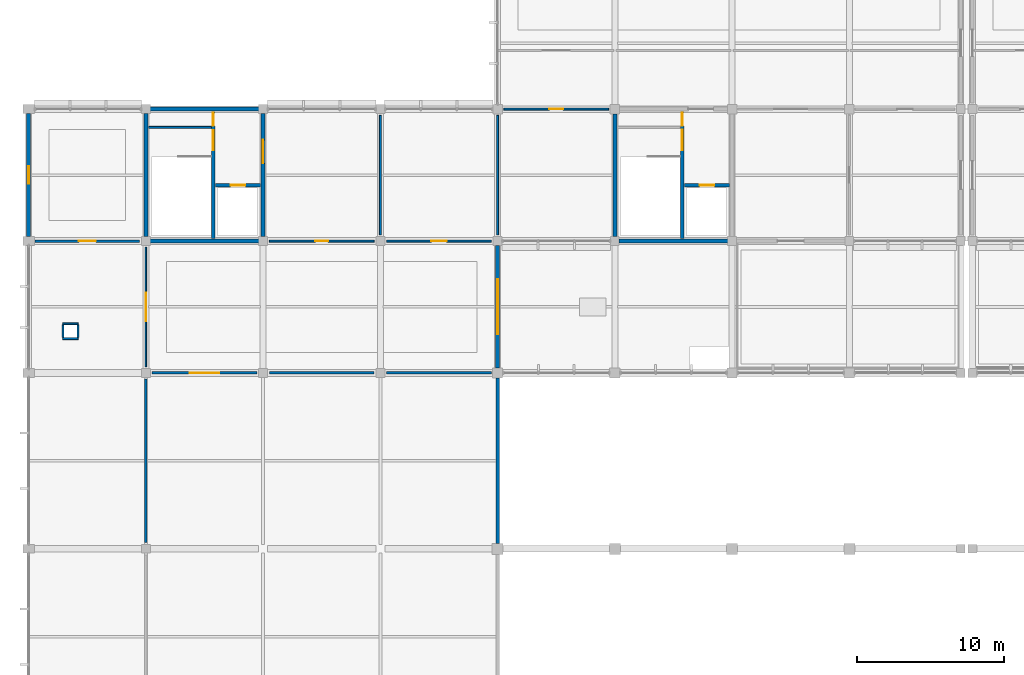
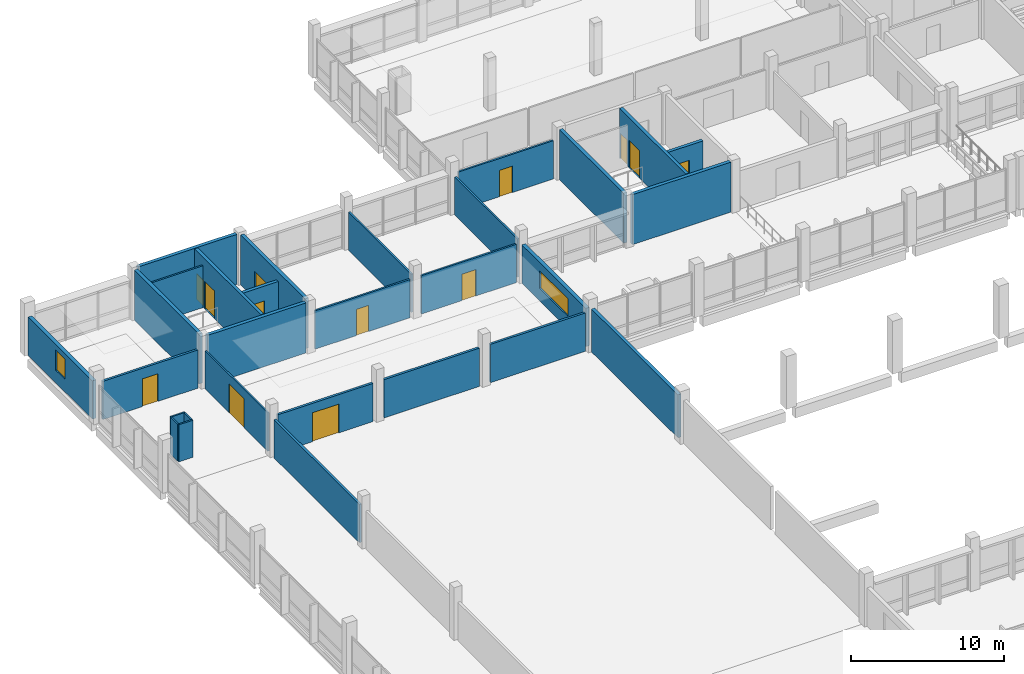
# One storey, part 58 of 70: 29 walls, 13 doors, 2 windows, 15 openings.
"""IFC4 building model written with IfcOpenShell, lengths in metres."""

from ifc_helpers import new_model, si_unit, direction, frame, frame_2d, origin, place, context, subcontext, project, spatial, rectangle, extrude, material, layer, layer_set, type_object, element, fill, save


model = new_model("IFC4")

# Units and contexts
model_context = context("Model", 3, precision=1e-05, world=origin(), true_north=direction((0.0, 1.0)))
body_context = subcontext(model_context, "Body", "Model", "MODEL_VIEW")
ifc_project = project(units=[si_unit("LENGTHUNIT", "METRE"), si_unit("AREAUNIT", "SQUARE_METRE"), si_unit("VOLUMEUNIT", "CUBIC_METRE"), si_unit("PLANEANGLEUNIT", "RADIAN"), si_unit("MASSUNIT", "GRAM", prefix="KILO"), si_unit("THERMODYNAMICTEMPERATUREUNIT", "KELVIN"), si_unit("POWERUNIT", "WATT")], contexts=[model_context])

# Site, building, storey
site_placement = place(None, origin())
site = spatial("IfcSite", under=ifc_project, at=site_placement, CompositionType="ELEMENT")
building_placement = place(site_placement, origin())
building = spatial("IfcBuilding", under=site, at=building_placement, Name="Kronsvod Quay Wholesale Market", CompositionType="ELEMENT")
storey_placement = place(building_placement, frame((0.0, 0.0, 9.0)))
storey = spatial("IfcBuildingStorey", under=building, at=storey_placement, Name="L02", CompositionType="ELEMENT", Elevation=9.0)

# Walls
ifc_material_1 = material(Name="Concrete C35/45", Category="concrete")
ifc_layer_1 = layer(ifc_material_1, 0.260009765625)
ifc_layer_set_1 = layer_set([ifc_layer_1], Name="Concrete C35/45")
wall_type_1 = type_object("IfcWallType", Name="Wall_CoreShear260", PredefinedType="SHEAR", material=ifc_layer_set_1)
for number, where, z_axis, x_axis, name in (
    (1, (8.294921875, 99.0, 0.0), (0.0, 0.0, 1.0), (1.0, 0.0, 0.0), "CW-C02-L02-S"),
    (2, (8.294921875, 108.0, 0.0), (0.0, 0.0, 1.0), (1.0, 0.0, 0.0), "CW-C02-L02-N"),
):
    element("IfcWall", number, at=place(storey_placement, frame(where, z_axis=z_axis, x_axis=x_axis)), inside=storey, type_object=wall_type_1, Name=name, PredefinedType="SHEAR", context=body_context, shape_type="SweptSolid", body=[
        extrude(rectangle(XDim=7.41015625, YDim=0.260009765625, at=frame_2d((3.705078125, 0.0))), origin(), (0.0, 0.0, 1.0), 3.985107421875),
    ])
wall_1_placement = place(storey_placement, frame((8.0, 99.294921875, 0.0), z_axis=(0.0, 0.0, 1.0), x_axis=(0.0, 1.0, 0.0)))
element("IfcWall", 3, at=wall_1_placement, inside=storey, type_object=wall_type_1, Name="CW-C02-L02-W", PredefinedType="SHEAR", context=body_context, shape_type="SweptSolid", body=[
    extrude(rectangle(XDim=8.41015625, YDim=0.260009765625, at=frame_2d((4.205078125, 0.0))), origin(), (0.0, 0.0, 1.0), 3.985107421875),
])

# Wall, opening, door
wall_2_placement = place(storey_placement, frame((16.0, 99.294921875, 0.0), z_axis=(0.0, 0.0, 1.0), x_axis=(0.0, 1.0, 0.0)))
wall_2 = element("IfcWall", 4, at=wall_2_placement, inside=storey, type_object=wall_type_1, Name="CW-C02-L02-E", PredefinedType="SHEAR", context=body_context, shape_type="SweptSolid", body=[
    extrude(rectangle(XDim=8.41015625, YDim=0.260009765625, at=frame_2d((4.205078125, 0.0))), origin(), (0.0, 0.0, 1.0), 3.985107421875),
])
opening_1_placement = place(wall_2_placement, frame((5.0, 0.0, 0.0)))
opening_1 = element("IfcOpeningElement", 5, at=opening_1_placement, cuts=wall_2, Name="Opening D-0019", PredefinedType="OPENING", context=body_context, shape_type="SweptSolid", body=[
    extrude(rectangle(XDim=1.60009765625, YDim=2.199951171875, at=frame_2d((0.800048828125, 1.10009765625))), frame((0.0, 0.14013671875, 0.0), z_axis=(0.0, -1.0, 0.0), x_axis=(1.0, 0.0, 0.0)), (0.0, 0.0, 1.0), 0.280029296875),
])
ifc_material_2 = material(Name="Painted galvanized fire steel", Category="steel")
door_type_1 = type_object("IfcDoorType", Name="Door_FireLobby160x220", OperationType="DOUBLE_DOOR_SINGLE_SWING", PredefinedType="DOOR", material=ifc_material_2)
door_1_placement = place(opening_1_placement, origin())
door_1 = element("IfcDoor", 6, at=door_1_placement, inside=storey, type_object=door_type_1, Name="Core Lobby Door D-0019", OperationType="DOUBLE_DOOR_SINGLE_SWING", OverallHeight=2.199951171875, OverallWidth=1.60009765625, PredefinedType="DOOR", context=body_context, shape_type="SweptSolid", body=[
    extrude(rectangle(XDim=1.60009765625, YDim=2.199951171875, at=frame_2d((0.800048828125, 1.10009765625))), frame((0.0, 0.02490234375, 0.0), z_axis=(0.0, -1.0, 0.0), x_axis=(1.0, 0.0, 0.0)), (0.0, 0.0, 1.0), 0.050048828125),
])
fill(opening_1, door_1)

# Walls
wall_3_placement = place(storey_placement, frame((40.294921875, 99.0, 0.0), z_axis=(0.0, 0.0, 1.0), x_axis=(1.0, 0.0, 0.0)))
element("IfcWall", 7, at=wall_3_placement, inside=storey, type_object=wall_type_1, Name="CW-C07-L02-S", PredefinedType="SHEAR", context=body_context, shape_type="SweptSolid", body=[
    extrude(rectangle(XDim=7.41015625, YDim=0.260009765625, at=frame_2d((3.705078125, 0.0))), origin(), (0.0, 0.0, 1.0), 3.985107421875),
])
wall_4_placement = place(storey_placement, frame((40.0, 99.294921875, 0.0), z_axis=(0.0, 0.0, 1.0), x_axis=(0.0, 1.0, 0.0)))
element("IfcWall", 8, at=wall_4_placement, inside=storey, type_object=wall_type_1, Name="CW-C07-L02-W", PredefinedType="SHEAR", context=body_context, shape_type="SweptSolid", body=[
    extrude(rectangle(XDim=8.385009765625, YDim=0.260009765625, at=frame_2d((4.1923828125, 0.0))), origin(), (0.0, 0.0, 1.0), 3.985107421875),
])

# Wall, opening, window
ifc_material_3 = material(Name="Precast concrete C40/50", Category="concrete")
ifc_layer_2 = layer(ifc_material_3, 0.280029296875)
ifc_layer_set_2 = layer_set([ifc_layer_2], Name="Precast concrete C40/50")
wall_type_2 = type_object("IfcWallType", Name="Wall_ExtPrecast280", PredefinedType="SOLIDWALL", material=ifc_layer_set_2)
wall_5_placement = place(storey_placement, frame((0.0, 107.705078125, 0.0), z_axis=(0.0, 0.0, 1.0), x_axis=(0.0, -1.0, 0.0)))
wall_5 = element("IfcWall", 9, at=wall_5_placement, inside=storey, type_object=wall_type_2, Name="EW-Y-L02-0162", PredefinedType="SOLIDWALL", context=body_context, shape_type="SweptSolid", body=[
    extrude(rectangle(XDim=8.41015625, YDim=0.280029296875, at=frame_2d((4.205078125, 0.0))), origin(), (0.0, 0.0, 1.0), 3.050048828125),
])
opening_2_placement = place(wall_5_placement, frame((3.60498046875, 0.0, 1.0)))
opening_2 = element("IfcOpeningElement", 10, at=opening_2_placement, cuts=wall_5, Name="Opening WIN-13", PredefinedType="OPENING", context=body_context, shape_type="SweptSolid", body=[
    extrude(rectangle(XDim=1.199951171875, YDim=1.60009765625, at=frame_2d((0.60009765625, 0.800048828125))), frame((0.0, 0.14990234375, 0.0), z_axis=(0.0, -1.0, 0.0), x_axis=(1.0, 0.0, 0.0)), (0.0, 0.0, 1.0), 0.300048828125),
])
ifc_material_4 = material(Name="Thermally broken aluminium and triple low-E glazing", Category="aluminium")
window_type_1 = type_object("IfcWindowType", Name="Win_W13", PartitioningType="SINGLE_PANEL", PredefinedType="WINDOW", material=ifc_material_4)
window_1_placement = place(opening_2_placement, origin())
window_1 = element("IfcWindow", 11, at=window_1_placement, inside=storey, type_object=window_type_1, Name="WIN-Y-L02-0013", OverallHeight=1.60009765625, OverallWidth=1.199951171875, PartitioningType="SINGLE_PANEL", PredefinedType="WINDOW", context=body_context, shape_type="SweptSolid", body=[
    extrude(rectangle(XDim=1.199951171875, YDim=1.60009765625, at=frame_2d((0.60009765625, 0.800048828125))), frame((0.0, 0.030029296875, 0.0), z_axis=(0.0, -1.0, 0.0), x_axis=(1.0, 0.0, 0.0)), (0.0, 0.0, 1.0), 0.06005859375),
])
fill(opening_2, window_1)

wall_6_placement = place(storey_placement, frame((32.0, 90.344970703125, 0.0), z_axis=(0.0, 0.0, 1.0), x_axis=(0.0, 1.0, 0.0)))
wall_6 = element("IfcWall", 12, at=wall_6_placement, inside=storey, type_object=wall_type_2, Name="EW-Y-L02-0166", PredefinedType="SOLIDWALL", context=body_context, shape_type="SweptSolid", body=[
    extrude(rectangle(XDim=8.360107421875, YDim=0.280029296875, at=frame_2d((4.18017578125, 0.0))), origin(), (0.0, 0.0, 1.0), 3.050048828125),
])
opening_3_placement = place(wall_6_placement, frame((2.304931640625, 0.0, 1.0)))
opening_3 = element("IfcOpeningElement", 13, at=opening_3_placement, cuts=wall_6, Name="Opening WIN-15", PredefinedType="OPENING", context=body_context, shape_type="SweptSolid", body=[
    extrude(rectangle(XDim=3.75, YDim=1.39990234375, at=frame_2d((1.875, 0.699951171875))), frame((0.0, 0.14990234375, 0.0), z_axis=(0.0, -1.0, 0.0), x_axis=(1.0, 0.0, 0.0)), (0.0, 0.0, 1.0), 0.300048828125),
])
ifc_material_5 = material(Name="Thermally broken aluminium and triple low-E glazing", Category="aluminium")
window_type_2 = type_object("IfcWindowType", Name="Win_W15", PartitioningType="TRIPLE_PANEL_HORIZONTAL", PredefinedType="WINDOW", material=ifc_material_5)
window_2_placement = place(opening_3_placement, origin())
window_2 = element("IfcWindow", 14, at=window_2_placement, inside=storey, type_object=window_type_2, Name="WIN-Y-L02-0015", OverallHeight=1.39990234375, OverallWidth=3.75, PartitioningType="SINGLE_PANEL", PredefinedType="WINDOW", context=body_context, shape_type="SweptSolid", body=[
    extrude(rectangle(XDim=3.75, YDim=1.39990234375, at=frame_2d((1.875, 0.699951171875))), frame((0.0, 0.030029296875, 0.0), z_axis=(0.0, -1.0, 0.0), x_axis=(1.0, 0.0, 0.0)), (0.0, 0.0, 1.0), 0.06005859375),
])
fill(opening_3, window_2)

# Walls
ifc_material_6 = material(Name="Precast concrete C40/50", Category="concrete")
ifc_layer_3 = layer(ifc_material_6, 0.239990234375)
ifc_layer_set_3 = layer_set([ifc_layer_3], Name="Precast concrete C40/50")
wall_type_3 = type_object("IfcWallType", Name="Wall_ExtSpandrel240", PredefinedType="SOLIDWALL", material=ifc_layer_set_3)
wall_7_placement = place(storey_placement, frame((32.0, 78.3701171875, 0.0), z_axis=(0.0, 0.0, 1.0), x_axis=(0.0, 1.0, 0.0)))
element("IfcWall", 15, at=wall_7_placement, inside=storey, type_object=wall_type_3, Name="EW-AUC-OBS-3", PredefinedType="SOLIDWALL", context=body_context, shape_type="SweptSolid", body=[
    extrude(rectangle(XDim=11.284912109375, YDim=0.239990234375, at=frame_2d((5.642578125, 0.0))), origin(), (0.0, 0.0, 1.0), 3.419921875),
])
ifc_material_7 = material(Name="Double stud acoustic gypsum partition")
ifc_layer_4 = layer(ifc_material_7, 0.175048828125)
ifc_layer_set_4 = layer_set([ifc_layer_4], Name="Double stud acoustic gypsum partition")
wall_type_4 = type_object("IfcWallType", Name="Wall_PartAcoustic175", PredefinedType="PARTITIONING", material=ifc_layer_set_4)
wall_8_placement = place(storey_placement, frame((8.0, 78.419921875, 0.0), z_axis=(0.0, 0.0, 1.0), x_axis=(0.0, 1.0, 0.0)))
element("IfcWall", 16, at=wall_8_placement, inside=storey, type_object=wall_type_4, Name="PW-L02-0009", PredefinedType="PARTITIONING", context=body_context, shape_type="SweptSolid", body=[
    extrude(rectangle(XDim=11.16015625, YDim=0.175048828125, at=frame_2d((5.580078125, 0.0))), origin(), (0.0, 0.0, 1.0), 3.050048828125),
])

# Wall, opening, door
wall_9_placement = place(storey_placement, frame((8.419921875, 90.0, 0.0), z_axis=(0.0, 0.0, 1.0), x_axis=(1.0, 0.0, 0.0)))
wall_9 = element("IfcWall", 17, at=wall_9_placement, inside=storey, type_object=wall_type_4, Name="PW-L02-0012", PredefinedType="PARTITIONING", context=body_context, shape_type="SweptSolid", body=[
    extrude(rectangle(XDim=7.16015625, YDim=0.175048828125, at=frame_2d((3.580078125, 0.0))), origin(), (0.0, 0.0, 1.0), 3.050048828125),
])
opening_4_placement = place(wall_9_placement, frame((2.580078125, 0.0, 0.0)))
opening_4 = element("IfcOpeningElement", 18, at=opening_4_placement, cuts=wall_9, Name="Opening D-0276", PredefinedType="OPENING", context=body_context, shape_type="SweptSolid", body=[
    extrude(rectangle(XDim=2.0, YDim=2.300048828125, at=frame_2d((1.0, 1.14990234375))), frame((0.0, 0.09765625, 0.0), z_axis=(0.0, -1.0, 0.0), x_axis=(1.0, 0.0, 0.0)), (0.0, 0.0, 1.0), 0.195068359375),
])
ifc_material_8 = material(Name="Acoustic oak-veneer double door", Category="wood")
door_type_2 = type_object("IfcDoorType", Name="Door_AuctionDouble200x230", OperationType="DOUBLE_DOOR_SINGLE_SWING", PredefinedType="DOOR", material=ifc_material_8)
door_2_placement = place(opening_4_placement, origin())
door_2 = element("IfcDoor", 19, at=door_2_placement, inside=storey, type_object=door_type_2, Name="Interior Door D-0276", OperationType="DOUBLE_DOOR_SINGLE_SWING", OverallHeight=2.300048828125, OverallWidth=2.0, PredefinedType="DOOR", context=body_context, shape_type="SweptSolid", body=[
    extrude(rectangle(XDim=2.0, YDim=2.300048828125, at=frame_2d((1.0, 1.14990234375))), frame((0.0, 0.02490234375, 0.0), z_axis=(0.0, -1.0, 0.0), x_axis=(1.0, 0.0, 0.0)), (0.0, 0.0, 1.0), 0.050048828125),
])
fill(opening_4, door_2)

# Walls
for number, where, z_axis, x_axis, name in (
    (20, (16.419921875, 90.0, 0.0), (0.0, 0.0, 1.0), (1.0, 0.0, 0.0), "PW-L02-0013"),
    (21, (24.419921875, 90.0, 0.0), (0.0, 0.0, 1.0), (1.0, 0.0, 0.0), "PW-L02-0014"),
):
    element("IfcWall", number, at=place(storey_placement, frame(where, z_axis=z_axis, x_axis=x_axis)), inside=storey, type_object=wall_type_4, Name=name, PredefinedType="PARTITIONING", context=body_context, shape_type="SweptSolid", body=[
        extrude(rectangle(XDim=7.16015625, YDim=0.175048828125, at=frame_2d((3.580078125, 0.0))), origin(), (0.0, 0.0, 1.0), 3.050048828125),
    ])

# Wall, opening, door
ifc_material_9 = material(Name="Double-layer fire gypsum partition", Category="gypsum")
ifc_layer_5 = layer(ifc_material_9, 0.16796875)
ifc_layer_set_5 = layer_set([ifc_layer_5], Name="Double-layer fire gypsum partition")
wall_type_5 = type_object("IfcWallType", Name="Wall_PartCorridor168", PredefinedType="PARTITIONING", material=ifc_layer_set_5)
wall_10_placement = place(storey_placement, frame((0.419921875, 99.0, 0.0), z_axis=(0.0, 0.0, 1.0), x_axis=(1.0, 0.0, 0.0)))
wall_10 = element("IfcWall", 22, at=wall_10_placement, inside=storey, type_object=wall_type_5, Name="PW-L02-0011", PredefinedType="PARTITIONING", context=body_context, shape_type="SweptSolid", body=[
    extrude(rectangle(XDim=7.16015625, YDim=0.16796875, at=frame_2d((3.580078125, 0.0))), origin(), (0.0, 0.0, 1.0), 3.050048828125),
])
opening_5_placement = place(wall_10_placement, frame((3.0, 0.0, 0.0)))
opening_5 = element("IfcOpeningElement", 23, at=opening_5_placement, cuts=wall_10, Name="Opening D-0275", PredefinedType="OPENING", context=body_context, shape_type="SweptSolid", body=[
    extrude(rectangle(XDim=1.159912109375, YDim=2.2099609375, at=frame_2d((0.580078125, 1.10498046875))), frame((0.0, 0.093994140625, 0.0), z_axis=(0.0, -1.0, 0.0), x_axis=(1.0, 0.0, 0.0)), (0.0, 0.0, 1.0), 0.18798828125),
])
ifc_material_10 = material(Name="Solid-core timber office door", Category="wood")
door_type_3 = type_object("IfcDoorType", Name="Door_Office116x221", OperationType="NOTDEFINED", PredefinedType="DOOR", material=ifc_material_10)
door_3_placement = place(opening_5_placement, origin())
door_3 = element("IfcDoor", 24, at=door_3_placement, inside=storey, type_object=door_type_3, Name="Interior Door D-0275", OperationType="SINGLE_SWING_LEFT", OverallHeight=2.2099609375, OverallWidth=1.159912109375, PredefinedType="DOOR", context=body_context, shape_type="SweptSolid", body=[
    extrude(rectangle(XDim=1.159912109375, YDim=2.2099609375, at=frame_2d((0.580078125, 1.10498046875))), frame((0.0, 0.02490234375, 0.0), z_axis=(0.0, -1.0, 0.0), x_axis=(1.0, 0.0, 0.0)), (0.0, 0.0, 1.0), 0.050048828125),
])
fill(opening_5, door_3)

ifc_material_11 = material(Name="Framed acoustic glass hall partition", Category="glass")
ifc_layer_6 = layer(ifc_material_11, 0.114990234375)
ifc_layer_set_6 = layer_set([ifc_layer_6], Name="Framed acoustic glass hall partition")
wall_type_6 = type_object("IfcWallType", Name="Wall_PartGlazed115", PredefinedType="PARTITIONING", material=ifc_layer_set_6)
wall_11_placement = place(storey_placement, frame((8.0, 90.419921875, 0.0), z_axis=(0.0, 0.0, 1.0), x_axis=(0.0, 1.0, 0.0)))
wall_11 = element("IfcWall", 25, at=wall_11_placement, inside=storey, type_object=wall_type_6, Name="PW-L02-0010", PredefinedType="PARTITIONING", context=body_context, shape_type="SweptSolid", body=[
    extrude(rectangle(XDim=8.16015625, YDim=0.114990234375, at=frame_2d((4.080078125, 0.0))), origin(), (0.0, 0.0, 1.0), 3.050048828125),
])
opening_6_placement = place(wall_11_placement, frame((3.10498046875, 0.0, 0.0)))
opening_6 = element("IfcOpeningElement", 26, at=opening_6_placement, cuts=wall_11, Name="Opening D-0274", PredefinedType="OPENING", context=body_context, shape_type="SweptSolid", body=[
    extrude(rectangle(XDim=1.949951171875, YDim=2.300048828125, at=frame_2d((0.97509765625, 1.14990234375))), frame((0.0, 0.0673828125, 0.0), z_axis=(0.0, -1.0, 0.0), x_axis=(1.0, 0.0, 0.0)), (0.0, 0.0, 1.0), 0.135009765625),
])
ifc_material_12 = material(Name="Glazed aluminium hall portal", Category="aluminium")
door_type_4 = type_object("IfcDoorType", Name="Door_HallPortal195x230", OperationType="DOUBLE_DOOR_SINGLE_SWING", PredefinedType="DOOR", material=ifc_material_12)
door_4_placement = place(opening_6_placement, origin())
door_4 = element("IfcDoor", 27, at=door_4_placement, inside=storey, type_object=door_type_4, Name="Interior Door D-0274", OperationType="DOUBLE_DOOR_SINGLE_SWING", OverallHeight=2.300048828125, OverallWidth=1.949951171875, PredefinedType="DOOR", context=body_context, shape_type="SweptSolid", body=[
    extrude(rectangle(XDim=1.949951171875, YDim=2.300048828125, at=frame_2d((0.97509765625, 1.14990234375))), frame((0.0, 0.02490234375, 0.0), z_axis=(0.0, -1.0, 0.0), x_axis=(1.0, 0.0, 0.0)), (0.0, 0.0, 1.0), 0.050048828125),
])
fill(opening_6, door_4)

# Walls
ifc_material_13 = material(Name="Fire-rated shaft riser block wall", Category="masonry")
ifc_layer_7 = layer(ifc_material_13, 0.1201171875)
ifc_layer_set_7 = layer_set([ifc_layer_7], Name="Fire-rated shaft riser block wall")
wall_type_7 = type_object("IfcWallType", Name="Wall_PartRiser120", PredefinedType="PARTITIONING", material=ifc_layer_set_7)
for number, where, z_axis, x_axis, name in (
    (28, (2.320068359375, 92.340087890625, 0.0), (0.0, 0.0, 1.0), (1.0, 0.0, 0.0), "RSRW-SLB-L02-107-S"),
    (29, (2.320068359375, 93.360107421875, 0.0), (0.0, 0.0, 1.0), (1.0, 0.0, 0.0), "RSRW-SLB-L02-107-N"),
):
    element("IfcWall", number, at=place(storey_placement, frame(where, z_axis=z_axis, x_axis=x_axis)), inside=storey, type_object=wall_type_7, Name=name, PredefinedType="PARTITIONING", context=body_context, shape_type="SweptSolid", body=[
        extrude(rectangle(XDim=1.059814453125, YDim=0.1201171875, at=frame_2d((0.52978515625, 0.0))), origin(), (0.0, 0.0, 1.0), 2.949951171875),
    ])
for number, where, z_axis, x_axis, name in (
    (30, (2.340087890625, 92.419921875, 0.0), (0.0, 0.0, 1.0), (0.0, 1.0, 0.0), "RSRW-SLB-L02-107-W"),
    (31, (3.360107421875, 92.419921875, 0.0), (0.0, 0.0, 1.0), (0.0, 1.0, 0.0), "RSRW-SLB-L02-107-E"),
):
    element("IfcWall", number, at=place(storey_placement, frame(where, z_axis=z_axis, x_axis=x_axis)), inside=storey, type_object=wall_type_7, Name=name, PredefinedType="PARTITIONING", context=body_context, shape_type="SweptSolid", body=[
        extrude(rectangle(XDim=0.860107421875, YDim=0.1201171875, at=frame_2d((0.43017578125, 0.0))), origin(), (0.0, 0.0, 1.0), 2.949951171875),
    ])
ifc_material_14 = material(Name="Fire-rated shaft riser block wall", Category="masonry")
ifc_layer_8 = layer(ifc_material_14, 0.1298828125)
ifc_layer_set_8 = layer_set([ifc_layer_8], Name="Fire-rated shaft riser block wall")
wall_type_8 = type_object("IfcWallType", Name="Wall_PartRiser130", PredefinedType="PARTITIONING", material=ifc_layer_set_8)
wall_12_placement = place(storey_placement, frame((8.179931640625, 106.75, 0.0), z_axis=(0.0, 0.0, 1.0), x_axis=(1.0, 0.0, 0.0)))
element("IfcWall", 32, at=wall_12_placement, inside=storey, type_object=wall_type_8, Name="CW-C02-L02-RSR", PredefinedType="PARTITIONING", context=body_context, shape_type="SweptSolid", body=[
    extrude(rectangle(XDim=4.280029296875, YDim=0.1298828125, at=frame_2d((2.14013671875, 0.0))), origin(), (0.0, 0.0, 1.0), 3.3349609375),
])

# Wall, opening, door
ifc_material_15 = material(Name="Moisture-resistant sanitary block partition", Category="masonry")
ifc_layer_9 = layer(ifc_material_15, 0.135009765625)
ifc_layer_set_9 = layer_set([ifc_layer_9], Name="Moisture-resistant sanitary block partition")
wall_type_9 = type_object("IfcWallType", Name="Wall_PartWet135", PredefinedType="PLUMBINGWALL", material=ifc_layer_set_9)
wall_13_placement = place(storey_placement, frame((16.419921875, 99.0, 0.0), z_axis=(0.0, 0.0, 1.0), x_axis=(1.0, 0.0, 0.0)))
wall_13 = element("IfcWall", 33, at=wall_13_placement, inside=storey, type_object=wall_type_9, Name="PW-L02-0015", PredefinedType="PLUMBINGWALL", context=body_context, shape_type="SweptSolid", body=[
    extrude(rectangle(XDim=7.16015625, YDim=0.135009765625, at=frame_2d((3.580078125, 0.0))), origin(), (0.0, 0.0, 1.0), 3.050048828125),
])
opening_7_placement = place(wall_13_placement, frame((3.1201171875, 0.0, 0.0)))
opening_7 = element("IfcOpeningElement", 34, at=opening_7_placement, cuts=wall_13, Name="Opening D-0277", PredefinedType="OPENING", context=body_context, shape_type="SweptSolid", body=[
    extrude(rectangle(XDim=0.919921875, YDim=2.080078125, at=frame_2d((0.4599609375, 1.0400390625))), frame((0.0, 0.07763671875, 0.0), z_axis=(0.0, -1.0, 0.0), x_axis=(1.0, 0.0, 0.0)), (0.0, 0.0, 1.0), 0.155029296875),
])
ifc_material_16 = material(Name="Moisture-resistant laminate door", Category="wood")
door_type_5 = type_object("IfcDoorType", Name="Door_WC92x208", OperationType="NOTDEFINED", PredefinedType="DOOR", material=ifc_material_16)
door_5_placement = place(opening_7_placement, origin())
door_5 = element("IfcDoor", 35, at=door_5_placement, inside=storey, type_object=door_type_5, Name="Interior Door D-0277", OperationType="SINGLE_SWING_RIGHT", OverallHeight=2.080078125, OverallWidth=0.919921875, PredefinedType="DOOR", context=body_context, shape_type="SweptSolid", body=[
    extrude(rectangle(XDim=0.919921875, YDim=2.080078125, at=frame_2d((0.4599609375, 1.0400390625))), frame((0.0, 0.02490234375, 0.0), z_axis=(0.0, -1.0, 0.0), x_axis=(1.0, 0.0, 0.0)), (0.0, 0.0, 1.0), 0.050048828125),
])
fill(opening_7, door_5)

wall_14_placement = place(storey_placement, frame((24.419921875, 99.0, 0.0), z_axis=(0.0, 0.0, 1.0), x_axis=(1.0, 0.0, 0.0)))
wall_14 = element("IfcWall", 36, at=wall_14_placement, inside=storey, type_object=wall_type_9, Name="PW-L02-0016", PredefinedType="PLUMBINGWALL", context=body_context, shape_type="SweptSolid", body=[
    extrude(rectangle(XDim=7.16015625, YDim=0.135009765625, at=frame_2d((3.580078125, 0.0))), origin(), (0.0, 0.0, 1.0), 3.050048828125),
])
opening_8_placement = place(wall_14_placement, frame((3.054931640625, 0.0, 0.0)))
opening_8 = element("IfcOpeningElement", 37, at=opening_8_placement, cuts=wall_14, Name="Opening D-0278", PredefinedType="OPENING", context=body_context, shape_type="SweptSolid", body=[
    extrude(rectangle(XDim=1.050048828125, YDim=2.10009765625, at=frame_2d((0.52490234375, 1.050048828125))), frame((0.0, 0.07763671875, 0.0), z_axis=(0.0, -1.0, 0.0), x_axis=(1.0, 0.0, 0.0)), (0.0, 0.0, 1.0), 0.155029296875),
])
ifc_material_17 = material(Name="Accessible outward-swing laminate door", Category="wood")
door_type_6 = type_object("IfcDoorType", Name="Door_AccWC105x210", OperationType="NOTDEFINED", PredefinedType="DOOR", material=ifc_material_17)
door_6_placement = place(opening_8_placement, origin())
door_6 = element("IfcDoor", 38, at=door_6_placement, inside=storey, type_object=door_type_6, Name="Interior Door D-0278", OperationType="SINGLE_SWING_LEFT", OverallHeight=2.10009765625, OverallWidth=1.050048828125, PredefinedType="DOOR", context=body_context, shape_type="SweptSolid", body=[
    extrude(rectangle(XDim=1.050048828125, YDim=2.10009765625, at=frame_2d((0.52490234375, 1.050048828125))), frame((0.0, 0.02490234375, 0.0), z_axis=(0.0, -1.0, 0.0), x_axis=(1.0, 0.0, 0.0)), (0.0, 0.0, 1.0), 0.050048828125),
])
fill(opening_8, door_6)

# Walls
for number, where, z_axis, x_axis, name in (
    (39, (24.0, 99.419921875, 0.0), (0.0, 0.0, 1.0), (0.0, 1.0, 0.0), "PW-L02-0017"),
    (40, (32.0, 99.419921875, 0.0), (0.0, 0.0, 1.0), (0.0, 1.0, 0.0), "PW-L02-0018"),
):
    element("IfcWall", number, at=place(storey_placement, frame(where, z_axis=z_axis, x_axis=x_axis)), inside=storey, type_object=wall_type_9, Name=name, PredefinedType="PLUMBINGWALL", context=body_context, shape_type="SweptSolid", body=[
        extrude(rectangle(XDim=8.16015625, YDim=0.135009765625, at=frame_2d((4.080078125, 0.0))), origin(), (0.0, 0.0, 1.0), 3.050048828125),
    ])

# Wall, opening, door
wall_15_placement = place(storey_placement, frame((32.419921875, 108.0, 0.0), z_axis=(0.0, 0.0, 1.0), x_axis=(1.0, 0.0, 0.0)))
wall_15 = element("IfcWall", 41, at=wall_15_placement, inside=storey, type_object=wall_type_9, Name="PW-L02-0029", PredefinedType="PLUMBINGWALL", context=body_context, shape_type="SweptSolid", body=[
    extrude(rectangle(XDim=7.16015625, YDim=0.135009765625, at=frame_2d((3.580078125, 0.0))), origin(), (0.0, 0.0, 1.0), 3.050048828125),
])
opening_9_placement = place(wall_15_placement, frame((3.10498046875, 0.0, 0.0)))
opening_9 = element("IfcOpeningElement", 42, at=opening_9_placement, cuts=wall_15, Name="Opening D-0283", PredefinedType="OPENING", context=body_context, shape_type="SweptSolid", body=[
    extrude(rectangle(XDim=0.949951171875, YDim=2.10009765625, at=frame_2d((0.47509765625, 1.050048828125))), frame((0.0, 0.07763671875, 0.0), z_axis=(0.0, -1.0, 0.0), x_axis=(1.0, 0.0, 0.0)), (0.0, 0.0, 1.0), 0.155029296875),
])
ifc_material_18 = material(Name="Moisture-resistant laminate door", Category="wood")
door_type_7 = type_object("IfcDoorType", Name="Door_WC95x210", OperationType="NOTDEFINED", PredefinedType="DOOR", material=ifc_material_18)
door_7_placement = place(opening_9_placement, origin())
door_7 = element("IfcDoor", 43, at=door_7_placement, inside=storey, type_object=door_type_7, Name="Interior Door D-0283", OperationType="SINGLE_SWING_RIGHT", OverallHeight=2.10009765625, OverallWidth=0.949951171875, PredefinedType="DOOR", context=body_context, shape_type="SweptSolid", body=[
    extrude(rectangle(XDim=0.949951171875, YDim=2.10009765625, at=frame_2d((0.47509765625, 1.050048828125))), frame((0.0, 0.02490234375, 0.0), z_axis=(0.0, -1.0, 0.0), x_axis=(1.0, 0.0, 0.0)), (0.0, 0.0, 1.0), 0.050048828125),
])
fill(opening_9, door_7)

# Wall, openings, doors
ifc_material_19 = material(Name="Concrete C35/45", Category="concrete")
ifc_layer_10 = layer(ifc_material_19, 0.239990234375)
ifc_layer_set_10 = layer_set([ifc_layer_10], Name="Concrete C35/45")
wall_type_10 = type_object("IfcWallType", Name="Wall_ShaftWall240", PredefinedType="SHEAR", material=ifc_layer_set_10)
wall_16_placement = place(storey_placement, frame((12.60009765625, 99.179931640625, 0.0), z_axis=(0.0, 0.0, 1.0), x_axis=(0.0, 1.0, 0.0)))
wall_16 = element("IfcWall", 44, at=wall_16_placement, inside=storey, type_object=wall_type_10, Name="CW-C02-L02-DIV", PredefinedType="SHEAR", context=body_context, shape_type="SweptSolid", body=[
    extrude(rectangle(XDim=8.64013671875, YDim=0.239990234375, at=frame_2d((4.320068359375, 0.0))), origin(), (0.0, 0.0, 1.0), 3.985107421875),
])
opening_10_placement = place(wall_16_placement, frame((6.02001953125, 0.0, 0.0)))
opening_10 = element("IfcOpeningElement", 45, at=opening_10_placement, cuts=wall_16, Name="Opening D-0017", PredefinedType="OPENING", context=body_context, shape_type="SweptSolid", body=[
    extrude(rectangle(XDim=1.35009765625, YDim=2.199951171875, at=frame_2d((0.675048828125, 1.10009765625))), frame((0.0, 0.1298828125, 0.0), z_axis=(0.0, -1.0, 0.0), x_axis=(1.0, 0.0, 0.0)), (0.0, 0.0, 1.0), 0.260009765625),
])
opening_11_placement = place(wall_16_placement, frame((7.679931640625, 0.0, 0.0)))
opening_11 = element("IfcOpeningElement", 46, at=opening_11_placement, cuts=wall_16, Name="Opening D-0018", PredefinedType="OPENING", context=body_context, shape_type="SweptSolid", body=[
    extrude(rectangle(XDim=0.8798828125, YDim=2.02001953125, at=frame_2d((0.43994140625, 1.010009765625))), frame((0.0, 0.1298828125, 0.0), z_axis=(0.0, -1.0, 0.0), x_axis=(1.0, 0.0, 0.0)), (0.0, 0.0, 1.0), 0.260009765625),
])
ifc_material_20 = material(Name="Painted galvanized fire steel", Category="steel")
door_type_8 = type_object("IfcDoorType", Name="Door_FireStair135x220", OperationType="NOTDEFINED", PredefinedType="DOOR", material=ifc_material_20)
door_8_placement = place(opening_10_placement, origin())
door_8 = element("IfcDoor", 47, at=door_8_placement, inside=storey, type_object=door_type_8, Name="Stair Fire Door D-0017", OperationType="SINGLE_SWING_LEFT", OverallHeight=2.199951171875, OverallWidth=1.35009765625, PredefinedType="DOOR", context=body_context, shape_type="SweptSolid", body=[
    extrude(rectangle(XDim=1.35009765625, YDim=2.199951171875, at=frame_2d((0.675048828125, 1.10009765625))), frame((0.0, 0.02490234375, 0.0), z_axis=(0.0, -1.0, 0.0), x_axis=(1.0, 0.0, 0.0)), (0.0, 0.0, 1.0), 0.050048828125),
])
fill(opening_10, door_8)
ifc_material_21 = material(Name="Fire-rated steel riser access door", Category="steel")
door_type_9 = type_object("IfcDoorType", Name="Door_Riser88x202", OperationType="NOTDEFINED", PredefinedType="DOOR", material=ifc_material_21)
door_9_placement = place(opening_11_placement, origin())
door_9 = element("IfcDoor", 48, at=door_9_placement, inside=storey, type_object=door_type_9, Name="Service Riser Door D-0018", OperationType="SINGLE_SWING_RIGHT", OverallHeight=2.02001953125, OverallWidth=0.8798828125, PredefinedType="DOOR", context=body_context, shape_type="SweptSolid", body=[
    extrude(rectangle(XDim=0.8798828125, YDim=2.02001953125, at=frame_2d((0.43994140625, 1.010009765625))), frame((0.0, 0.02490234375, 0.0), z_axis=(0.0, -1.0, 0.0), x_axis=(1.0, 0.0, 0.0)), (0.0, 0.0, 1.0), 0.050048828125),
])
fill(opening_11, door_9)

# Wall, opening, door
wall_17_placement = place(storey_placement, frame((12.75, 102.800048828125, 0.0), z_axis=(0.0, 0.0, 1.0), x_axis=(1.0, 0.0, 0.0)))
wall_17 = element("IfcWall", 49, at=wall_17_placement, inside=storey, type_object=wall_type_10, Name="CW-C02-L02-LSH", PredefinedType="SHEAR", context=body_context, shape_type="SweptSolid", body=[
    extrude(rectangle(XDim=3.070068359375, YDim=0.239990234375, at=frame_2d((1.53515625, 0.0))), origin(), (0.0, 0.0, 1.0), 3.3349609375),
])
opening_12_placement = place(wall_17_placement, frame((1.034912109375, 0.0, 0.0)))
opening_12 = element("IfcOpeningElement", 50, at=opening_12_placement, cuts=wall_17, Name="Opening D-0020", PredefinedType="OPENING", context=body_context, shape_type="SweptSolid", body=[
    extrude(rectangle(XDim=1.0, YDim=2.14990234375, at=frame_2d((0.5, 1.074951171875))), frame((0.0, 0.1298828125, 0.0), z_axis=(0.0, -1.0, 0.0), x_axis=(1.0, 0.0, 0.0)), (0.0, 0.0, 1.0), 0.260009765625),
])
ifc_material_22 = material(Name="Brushed stainless steel", Category="steel")
door_type_10 = type_object("IfcDoorType", Name="Door_LiftLandingPax", OperationType="SLIDING_TO_LEFT", PredefinedType="DOOR", material=ifc_material_22)
door_10_placement = place(opening_12_placement, origin())
door_10 = element("IfcDoor", 51, at=door_10_placement, inside=storey, type_object=door_type_10, Name="Lift Landing Door LFT-P01 L02", OperationType="SLIDING_TO_LEFT", OverallHeight=2.14990234375, OverallWidth=1.0, PredefinedType="DOOR", context=body_context, shape_type="SweptSolid", body=[
    extrude(rectangle(XDim=1.0, YDim=2.14990234375, at=frame_2d((0.5, 1.074951171875))), frame((0.0, 0.02490234375, 0.0), z_axis=(0.0, -1.0, 0.0), x_axis=(1.0, 0.0, 0.0)), (0.0, 0.0, 1.0), 0.050048828125),
])
fill(opening_12, door_10)

# Wall, openings, doors
wall_18_placement = place(storey_placement, frame((44.60009765625, 99.179931640625, 0.0), z_axis=(0.0, 0.0, 1.0), x_axis=(0.0, 1.0, 0.0)))
wall_18 = element("IfcWall", 52, at=wall_18_placement, inside=storey, type_object=wall_type_10, Name="CW-C07-L02-DIV", PredefinedType="SHEAR", context=body_context, shape_type="SweptSolid", body=[
    extrude(rectangle(XDim=8.64013671875, YDim=0.239990234375, at=frame_2d((4.320068359375, 0.0))), origin(), (0.0, 0.0, 1.0), 3.985107421875),
])
opening_13_placement = place(wall_18_placement, frame((6.02001953125, 0.0, 0.0)))
opening_13 = element("IfcOpeningElement", 53, at=opening_13_placement, cuts=wall_18, Name="Opening D-0070", PredefinedType="OPENING", context=body_context, shape_type="SweptSolid", body=[
    extrude(rectangle(XDim=1.39990234375, YDim=2.199951171875, at=frame_2d((0.699951171875, 1.10009765625))), frame((0.0, 0.1298828125, 0.0), z_axis=(0.0, -1.0, 0.0), x_axis=(1.0, 0.0, 0.0)), (0.0, 0.0, 1.0), 0.260009765625),
])
opening_14_placement = place(wall_18_placement, frame((7.679931640625, 0.0, 0.0)))
opening_14 = element("IfcOpeningElement", 54, at=opening_14_placement, cuts=wall_18, Name="Opening D-0071", PredefinedType="OPENING", context=body_context, shape_type="SweptSolid", body=[
    extrude(rectangle(XDim=0.89990234375, YDim=2.050048828125, at=frame_2d((0.449951171875, 1.02490234375))), frame((0.0, 0.1298828125, 0.0), z_axis=(0.0, -1.0, 0.0), x_axis=(1.0, 0.0, 0.0)), (0.0, 0.0, 1.0), 0.260009765625),
])
ifc_material_23 = material(Name="Painted galvanized fire steel", Category="steel")
door_type_11 = type_object("IfcDoorType", Name="Door_FireStair140x220", OperationType="NOTDEFINED", PredefinedType="DOOR", material=ifc_material_23)
door_11_placement = place(opening_13_placement, origin())
door_11 = element("IfcDoor", 55, at=door_11_placement, inside=storey, type_object=door_type_11, Name="Stair Fire Door D-0070", OperationType="SINGLE_SWING_LEFT", OverallHeight=2.199951171875, OverallWidth=1.39990234375, PredefinedType="DOOR", context=body_context, shape_type="SweptSolid", body=[
    extrude(rectangle(XDim=1.39990234375, YDim=2.199951171875, at=frame_2d((0.699951171875, 1.10009765625))), frame((0.0, 0.02490234375, 0.0), z_axis=(0.0, -1.0, 0.0), x_axis=(1.0, 0.0, 0.0)), (0.0, 0.0, 1.0), 0.050048828125),
])
fill(opening_13, door_11)
ifc_material_24 = material(Name="Fire-rated steel riser access door", Category="steel")
door_type_12 = type_object("IfcDoorType", Name="Door_Riser90x205", OperationType="NOTDEFINED", PredefinedType="DOOR", material=ifc_material_24)
door_12_placement = place(opening_14_placement, origin())
door_12 = element("IfcDoor", 56, at=door_12_placement, inside=storey, type_object=door_type_12, Name="Service Riser Door D-0071", OperationType="SINGLE_SWING_RIGHT", OverallHeight=2.050048828125, OverallWidth=0.89990234375, PredefinedType="DOOR", context=body_context, shape_type="SweptSolid", body=[
    extrude(rectangle(XDim=0.89990234375, YDim=2.050048828125, at=frame_2d((0.449951171875, 1.02490234375))), frame((0.0, 0.02490234375, 0.0), z_axis=(0.0, -1.0, 0.0), x_axis=(1.0, 0.0, 0.0)), (0.0, 0.0, 1.0), 0.050048828125),
])
fill(opening_14, door_12)

# Wall, opening, door
wall_19_placement = place(storey_placement, frame((44.75, 102.800048828125, 0.0), z_axis=(0.0, 0.0, 1.0), x_axis=(1.0, 0.0, 0.0)))
wall_19 = element("IfcWall", 57, at=wall_19_placement, inside=storey, type_object=wall_type_10, Name="CW-C07-L02-LSH", PredefinedType="SHEAR", context=body_context, shape_type="SweptSolid", body=[
    extrude(rectangle(XDim=3.070068359375, YDim=0.239990234375, at=frame_2d((1.53515625, 0.0))), origin(), (0.0, 0.0, 1.0), 3.3349609375),
])
opening_15_placement = place(wall_19_placement, frame((1.034912109375, 0.0, 0.0)))
opening_15 = element("IfcOpeningElement", 58, at=opening_15_placement, cuts=wall_19, Name="Opening D-0073", PredefinedType="OPENING", context=body_context, shape_type="SweptSolid", body=[
    extrude(rectangle(XDim=1.0, YDim=2.14990234375, at=frame_2d((0.5, 1.074951171875))), frame((0.0, 0.1298828125, 0.0), z_axis=(0.0, -1.0, 0.0), x_axis=(1.0, 0.0, 0.0)), (0.0, 0.0, 1.0), 0.260009765625),
])
door_13_placement = place(opening_15_placement, origin())
door_13 = element("IfcDoor", 59, at=door_13_placement, inside=storey, type_object=door_type_10, Name="Lift Landing Door LFT-P02 L02", OperationType="SLIDING_TO_LEFT", OverallHeight=2.14990234375, OverallWidth=1.0, PredefinedType="DOOR", context=body_context, shape_type="SweptSolid", body=[
    extrude(rectangle(XDim=1.0, YDim=2.14990234375, at=frame_2d((0.5, 1.074951171875))), frame((0.0, 0.02490234375, 0.0), z_axis=(0.0, -1.0, 0.0), x_axis=(1.0, 0.0, 0.0)), (0.0, 0.0, 1.0), 0.050048828125),
])
fill(opening_15, door_13)

save(model, "model.ifc")
